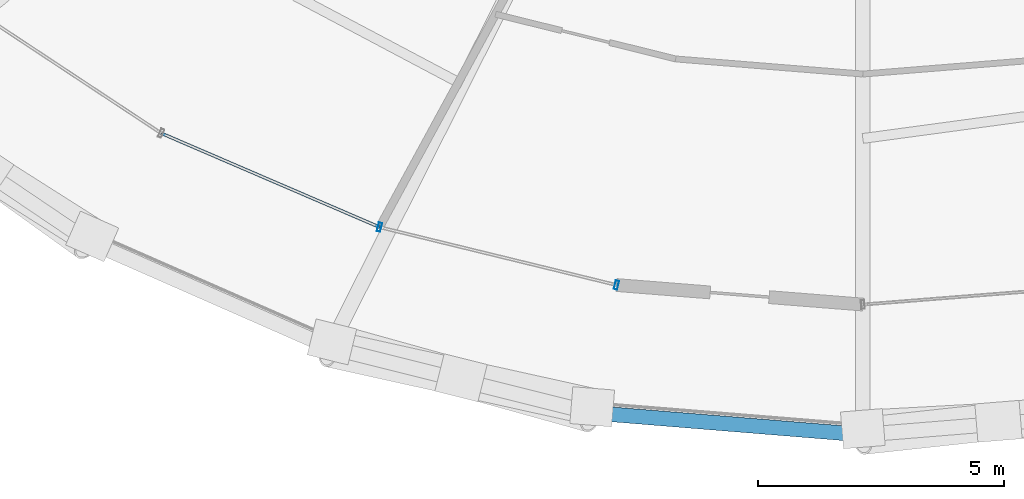
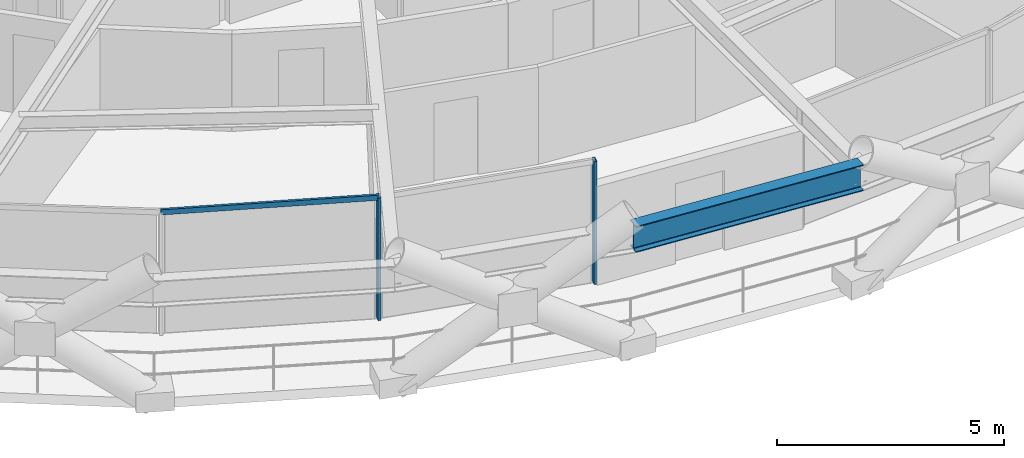
# One storey, part 4 of 19: 3 members, 1 beam, 1 element without a shape of its own.
"""IFC4 building model written with IfcOpenShell, lengths in metres."""

from ifc_helpers import new_model, si_unit, direction, frame, origin, origin_2d, place, context, subcontext, project, spatial, hollow_rectangle, i_section, extrude, material, layer, layer_set, material_profile, profile_set, type_object, element, aggregate, save


model = new_model("IFC4")

# Units and contexts
model_context = context("Model", 3, precision=1e-05, world=origin(), true_north=direction((0.0, 1.0)))
body_context = subcontext(model_context, "Body", "Model", "MODEL_VIEW")
ifc_project = project(units=[si_unit("LENGTHUNIT", "METRE"), si_unit("AREAUNIT", "SQUARE_METRE"), si_unit("VOLUMEUNIT", "CUBIC_METRE"), si_unit("PLANEANGLEUNIT", "RADIAN"), si_unit("MASSUNIT", "GRAM", prefix="KILO")], contexts=[model_context])

# Site, building, storey
site_placement = place(None, origin())
site = spatial("IfcSite", under=ifc_project, at=site_placement, CompositionType="ELEMENT")
building_placement = place(site_placement, origin())
building = spatial("IfcBuilding", under=site, at=building_placement, Name="Veldorina Hangang Commons", CompositionType="ELEMENT")
storey_placement = place(building_placement, frame((0.0, 0.0, 44.800048828125)))
storey = spatial("IfcBuildingStorey", under=building, at=storey_placement, Name="L10", CompositionType="ELEMENT", Elevation=44.800048828125)

# Beam
ifc_material_1 = material(Name="Steel SM460-TMC", Category="steel")
ifc_material_profile_1 = material_profile(ifc_material_1, i_section(OverallWidth=0.300048828125, OverallDepth=0.699951171875, WebThickness=0.012939453125, FlangeThickness=0.02392578125, FilletRadius=0.02197265625, at=origin_2d()), Name="H-700x300x13x24")
ifc_profile_set_1 = profile_set([ifc_material_profile_1], Name="Steel SM460-TMC")
beam_type = type_object("IfcBeamType", Name="BM-RB700", PredefinedType="BEAM", material=ifc_profile_set_1)
beam_placement = place(storey_placement, frame((26.484130859375, 1.17431640625, 2.989990234375), z_axis=(0.996725012995, -0.08086561983, 0.0), x_axis=(0.08086561983, 0.996725012995, 0.0)))
element("IfcBeam", 1, at=beam_placement, inside=storey, type_object=beam_type, Name="L10 perimeter hoop ring beam 23", PredefinedType="BEAM", context=body_context, shape_type="SweptSolid", body=[
    extrude(i_section(OverallWidth=0.300048828125, OverallDepth=0.699951171875, WebThickness=0.012939453125, FlangeThickness=0.02392578125, FilletRadius=0.02197265625, at=origin_2d()), origin(), (0.0, 0.0, 1.0), 5.533935546875),
])

# Curtain wall, members
ifc_material_2 = material(Name="Glass Low-E Triple IGU", Category="glass")
ifc_layer = layer(ifc_material_2, 0.179931640625)
ifc_layer_set = layer_set([ifc_layer], Name="Glass Low-E Triple IGU")
curtain_wall_type = type_object("IfcCurtainWallType", Name="CW-SYS-Z1", PredefinedType="NOTDEFINED", material=ifc_layer_set)
curtain_wall_placement = place(storey_placement, origin())
curtain_wall = element("IfcCurtainWall", 2, at=curtain_wall_placement, inside=storey, type_object=curtain_wall_type, Name="L10 unitised curtain wall CW-L10-R1", PredefinedType="NOTDEFINED")
ifc_material_3 = material(Name="Aluminium Anodized AA6063-T6", Category="aluminium")
ifc_material_profile_2 = material_profile(ifc_material_3, hollow_rectangle(XDim=0.070068359375, YDim=0.179931640625, WallThickness=0.00390625, at=origin_2d()), Name="ALU-RHS-180x70x4")
ifc_profile_set_2 = profile_set([ifc_material_profile_2], Name="Aluminium Anodized AA6063-T6")
member_type_1 = type_object("IfcMemberType", Name="CW-MUL-180", PredefinedType="MULLION", material=ifc_profile_set_2)
member_1_placement = place(storey_placement, frame((22.19140625, 4.939697265625, 0.0), z_axis=(0.0, 0.0, 1.0), x_axis=(0.971462249028, -0.2371942215, 0.0)))
member_1 = element("IfcMember", 3, at=member_1_placement, type_object=member_type_1, Name="CW-L10-R1 vertical mullion 4", PredefinedType="MULLION", context=body_context, shape_type="SweptSolid", body=[
    extrude(hollow_rectangle(XDim=0.070068359375, YDim=0.179931640625, WallThickness=0.00390625, at=origin_2d()), origin(), (0.0, 0.0, 1.0), 3.300048828125),
])
member_2_placement = place(storey_placement, frame((26.999755859375, 3.765625, 0.0), z_axis=(0.0, 0.0, 1.0), x_axis=(-0.971462249028, 0.2371942215, 0.0)))
member_2 = element("IfcMember", 4, at=member_2_placement, type_object=member_type_1, Name="CW-L10-R1 vertical mullion 5", PredefinedType="MULLION", context=body_context, shape_type="SweptSolid", body=[
    extrude(hollow_rectangle(XDim=0.070068359375, YDim=0.179931640625, WallThickness=0.00390625, at=origin_2d()), origin(), (0.0, 0.0, 1.0), 3.300048828125),
])
ifc_material_profile_3 = material_profile(ifc_material_3, hollow_rectangle(XDim=0.06005859375, YDim=0.139892578125, WallThickness=0.00341796875, at=origin_2d()), Name="ALU-RHS-140x60x3.5")
ifc_profile_set_3 = profile_set([ifc_material_profile_3], Name="Aluminium Anodized AA6063-T6")
member_type_2 = type_object("IfcMemberType", Name="CW-TRN-140", PredefinedType="USERDEFINED", material=ifc_profile_set_3)
member_3_placement = place(storey_placement, frame((17.76025390625, 6.84619140625, 3.260009765625), z_axis=(0.918586517501, -0.395219951249, 0.0), x_axis=(0.395219951249, 0.918586517501, 0.0)))
member_3 = element("IfcMember", 5, at=member_3_placement, type_object=member_type_2, Name="CW-L10-R1 facet 3 transom 1", ObjectType="TRANSOM", PredefinedType="USERDEFINED", context=body_context, shape_type="SweptSolid", body=[
    extrude(hollow_rectangle(XDim=0.06005859375, YDim=0.139892578125, WallThickness=0.00341796875, at=origin_2d()), origin(), (0.0, 0.0, 1.0), 4.823974609375),
])
aggregate(curtain_wall, [member_1, member_2, member_3])

save(model, "model.ifc")
